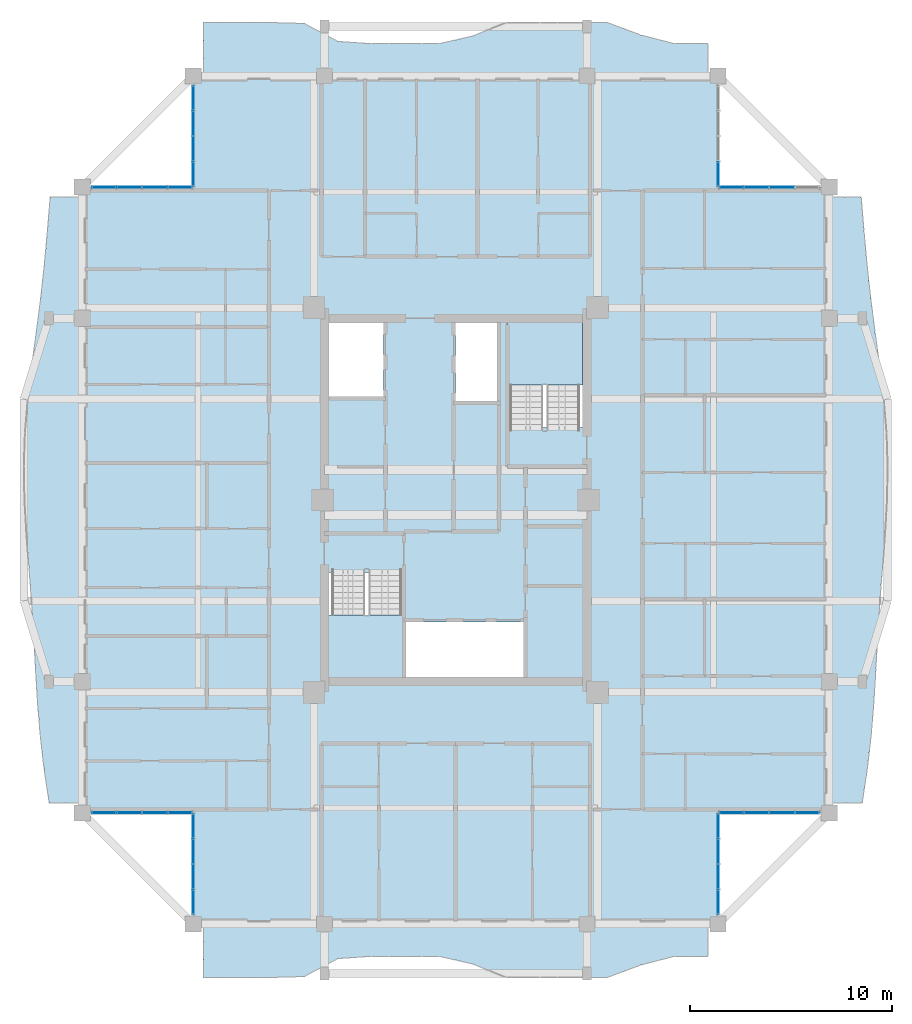
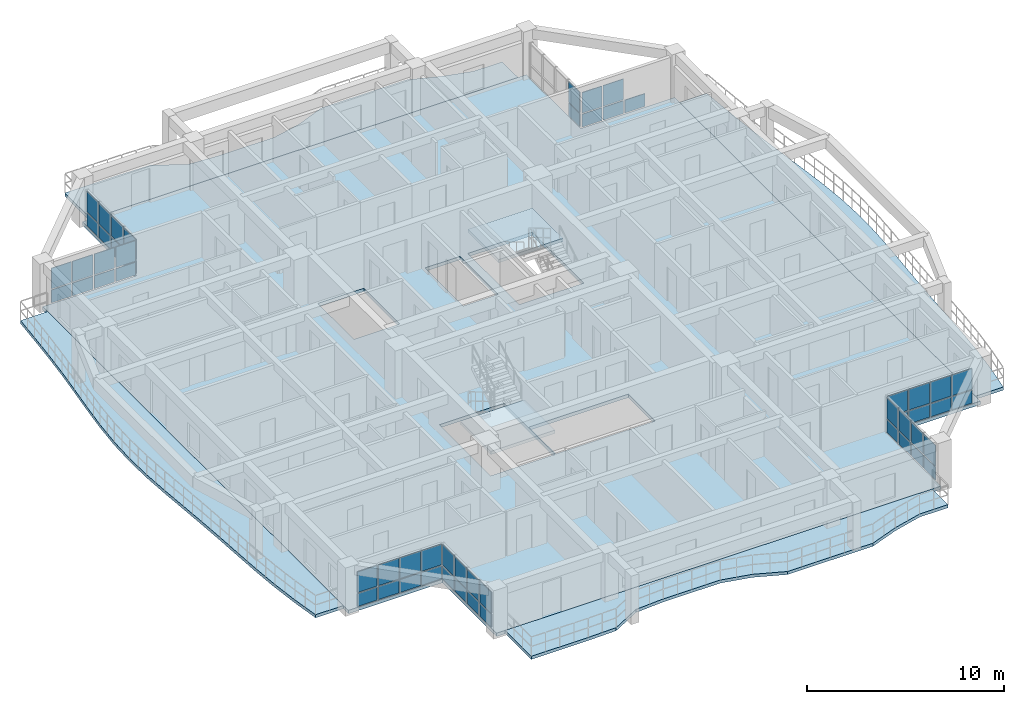
# One storey, part 9 of 22: 55 plates, 7 slabs, 10 elements without a shape of their own.
"""IFC4 building model written with IfcOpenShell, lengths in metres."""

from ifc_helpers import new_model, si_unit, direction, frame, origin, origin_2d, place, context, subcontext, project, spatial, polyline, rectangle, outline, extrude, source, transform, mapped, material, layer, layer_set, type_object, element, aggregate, save


model = new_model("IFC4")

# Units and contexts
model_context = context("Model", 3, precision=1e-05, world=origin(), true_north=direction((0.0, 1.0)))
body_context = subcontext(model_context, "Body", "Model", "MODEL_VIEW")
ifc_project = project(units=[si_unit("LENGTHUNIT", "METRE"), si_unit("AREAUNIT", "SQUARE_METRE"), si_unit("VOLUMEUNIT", "CUBIC_METRE"), si_unit("PLANEANGLEUNIT", "RADIAN"), si_unit("MASSUNIT", "GRAM", prefix="KILO")], contexts=[model_context])

# Site, building, storey
site_placement = place(None, origin())
site = spatial("IfcSite", under=ifc_project, at=site_placement, CompositionType="ELEMENT")
building_placement = place(site_placement, origin())
building = spatial("IfcBuilding", under=site, at=building_placement, Name="Saelheon Loggia Tower", CompositionType="ELEMENT")
storey_placement = place(building_placement, frame((0.0, 0.0, 196.60009765625)))
storey = spatial("IfcBuildingStorey", under=building, at=storey_placement, Name="L61", CompositionType="ELEMENT", Elevation=196.60009765625)

# Slabs
ifc_material_1 = material(Name="Precast Concrete C45/55", Category="concrete")
ifc_layer_1 = layer(ifc_material_1, 0.18994140625)
ifc_layer_set_1 = layer_set([ifc_layer_1], Name="Precast Concrete C45/55")
slab_type_1 = type_object("IfcSlabType", Name="Slab_Loggia_Ext_190", PredefinedType="FLOOR", material=ifc_layer_set_1)
slab_1_placement = place(storey_placement, frame((0.0, 0.0, -0.190185546875)))
element("IfcSlab", 1, at=slab_1_placement, inside=storey, type_object=slab_type_1, Name="L61 Loggia Balcony Slab S", PredefinedType="FLOOR", context=body_context, shape_type="SweptSolid", body=[
    extrude(outline(polyline([(25.5, 3.35009765625), (27.166748046875, 3.35009765625), (28.833251953125, 3.35009765625), (30.5, 3.396728515625), (32.166748046875, 4.2861328125), (33.833251953125, 4.39990234375), (35.5, 4.39990234375), (37.166748046875, 4.39990234375), (38.833251953125, 4.021728515625), (40.5, 3.35009765625), (42.166748046875, 3.35009765625), (43.833251953125, 3.35009765625), (45.5, 3.35009765625), (47.166748046875, 3.9677734375), (48.833251953125, 4.39990234375), (50.5, 4.39990234375), (50.5, 6.0), (25.5, 6.0), (25.5, 3.35009765625)])), origin(), (0.0, 0.0, 1.0), 0.190185546875),
])
slab_2_placement = place(storey_placement, frame((0.0, 0.0, -0.190185546875)))
element("IfcSlab", 2, at=slab_2_placement, inside=storey, type_object=slab_type_1, Name="L61 Loggia Balcony Slab N", PredefinedType="FLOOR", context=body_context, shape_type="SweptSolid", body=[
    extrude(outline(polyline([(25.5, 48.0), (50.5, 48.0), (50.5, 49.60009765625), (48.833251953125, 49.60009765625), (47.166748046875, 50.0322265625), (45.5, 50.64990234375), (43.833251953125, 50.64990234375), (42.166748046875, 50.64990234375), (40.5, 50.64990234375), (38.833251953125, 49.978271484375), (37.166748046875, 49.60009765625), (35.5, 49.60009765625), (33.833251953125, 49.60009765625), (32.166748046875, 49.7138671875), (30.5, 50.603271484375), (28.833251953125, 50.64990234375), (27.166748046875, 50.64990234375), (25.5, 50.64990234375), (25.5, 48.0)])), origin(), (0.0, 0.0, 1.0), 0.190185546875),
])
slab_3_placement = place(storey_placement, frame((0.0, 0.0, -0.190185546875)))
element("IfcSlab", 3, at=slab_3_placement, inside=storey, type_object=slab_type_1, Name="L61 Loggia Balcony Slab E", PredefinedType="FLOOR", context=body_context, shape_type="SweptSolid", body=[
    extrude(outline(polyline([(56.5, 12.0), (58.135009765625, 12.0), (58.38623046875, 13.666748046875), (58.579345703125, 15.333251953125), (58.71533203125, 17.0), (58.814697265625, 18.666748046875), (58.906494140625, 20.333251953125), (59.01318359375, 22.0), (59.138671875, 23.666748046875), (59.265625, 25.333251953125), (59.362060546875, 27.0), (59.3935546875, 28.666748046875), (59.338623046875, 30.333251953125), (59.19873046875, 32.0), (58.9970703125, 33.666748046875), (58.77099609375, 35.333251953125), (58.55615234375, 37.0), (58.3740234375, 38.666748046875), (58.223876953125, 40.333251953125), (58.085693359375, 42.0), (56.5, 42.0), (56.5, 12.0)])), origin(), (0.0, 0.0, 1.0), 0.190185546875),
])
slab_4_placement = place(storey_placement, frame((0.0, 0.0, -0.190185546875)))
element("IfcSlab", 4, at=slab_4_placement, inside=storey, type_object=slab_type_1, Name="L61 Loggia Balcony Slab W", PredefinedType="FLOOR", context=body_context, shape_type="SweptSolid", body=[
    extrude(outline(polyline([(19.5, 12.0), (19.5, 42.0), (17.914306640625, 42.0), (17.776123046875, 40.333251953125), (17.6259765625, 38.666748046875), (17.44384765625, 37.0), (17.22900390625, 35.333251953125), (17.0029296875, 33.666748046875), (16.80126953125, 32.0), (16.661376953125, 30.333251953125), (16.6064453125, 28.666748046875), (16.637939453125, 27.0), (16.734375, 25.333251953125), (16.861328125, 23.666748046875), (16.98681640625, 22.0), (17.093505859375, 20.333251953125), (17.185302734375, 18.666748046875), (17.28466796875, 17.0), (17.420654296875, 15.333251953125), (17.61376953125, 13.666748046875), (17.864990234375, 12.0), (19.5, 12.0)])), origin(), (0.0, 0.0, 1.0), 0.190185546875),
])

# Stair, slab
ifc_material_2 = material(Name="Concrete C40/50", Category="concrete")
stair_type = type_object("IfcStairType", Name="Stair_Escape_Core", PredefinedType="HALF_TURN_STAIR", material=ifc_material_2)
stair_1_placement = place(storey_placement, origin())
stair_1 = element("IfcStair", 5, at=stair_1_placement, inside=storey, type_object=stair_type, Name="L61 Special Escape Stair ST1", PredefinedType="HALF_TURN_STAIR")
ifc_layer_2 = layer(ifc_material_2, 0.199951171875)
ifc_layer_set_2 = layer_set([ifc_layer_2], Name="Concrete C40/50")
slab_type_2 = type_object("IfcSlabType", Name="Slab_StairLanding_ST1", PredefinedType="LANDING", material=ifc_layer_set_2)
slab_5_placement = place(storey_placement, frame((0.0, 0.0, 1.2998046875)))
slab_5 = element("IfcSlab", 6, at=slab_5_placement, type_object=slab_type_2, Name="ST1 landing 1", PredefinedType="LANDING", context=body_context, shape_type="SweptSolid", body=[
    extrude(outline(polyline([(31.7099609375, 21.31005859375), (31.7099609375, 18.2099609375), (35.469970703125, 18.2099609375), (35.469970703125, 21.31005859375), (31.7099609375, 21.31005859375)])), origin(), (0.0, 0.0, 1.0), 0.2001953125),
])
aggregate(stair_1, [slab_5])

stair_2_placement = place(storey_placement, origin())
stair_2 = element("IfcStair", 7, at=stair_2_placement, inside=storey, type_object=stair_type, Name="L61 Special Escape Stair ST2", PredefinedType="HALF_TURN_STAIR")
ifc_layer_3 = layer(ifc_material_2, 0.199951171875)
ifc_layer_set_3 = layer_set([ifc_layer_3], Name="Concrete C40/50")
slab_type_3 = type_object("IfcSlabType", Name="Slab_StairLanding_ST2", PredefinedType="LANDING", material=ifc_layer_set_3)
slab_6_placement = place(storey_placement, frame((0.0, 0.0, 1.2998046875)))
slab_6 = element("IfcSlab", 8, at=slab_6_placement, type_object=slab_type_3, Name="ST2 landing 1", PredefinedType="LANDING", context=body_context, shape_type="SweptSolid", body=[
    extrude(outline(polyline([(44.2900390625, 32.68994140625), (44.2900390625, 35.7900390625), (40.530029296875, 35.7900390625), (40.530029296875, 32.68994140625), (44.2900390625, 32.68994140625)])), origin(), (0.0, 0.0, 1.0), 0.2001953125),
])
aggregate(stair_2, [slab_6])

# Slab
ifc_layer_4 = layer(ifc_material_2, 0.2099609375)
ifc_layer_set_4 = layer_set([ifc_layer_4], Name="Concrete C40/50")
slab_type_4 = type_object("IfcSlabType", Name="Slab_Tower_210", PredefinedType="FLOOR", material=ifc_layer_set_4)
slab_7_placement = place(storey_placement, frame((0.0, 0.0, -0.210205078125)))
element("IfcSlab", 9, at=slab_7_placement, inside=storey, type_object=slab_type_4, Name="L61 Tower Floor Slab", PredefinedType="FLOOR", context=body_context, shape_type="SweptSolid", body=[
    extrude(outline(polyline([(25.0, 6.0), (51.0, 6.0), (51.0, 11.5), (56.5, 11.5), (56.5, 42.5), (51.0, 42.5), (51.0, 48.0), (25.0, 48.0), (25.0, 42.5), (19.5, 42.5), (19.5, 11.5), (25.0, 11.5), (25.0, 6.0)]), holes=[polyline([(31.699951171875, 23.409912109375), (31.699951171875, 18.199951171875), (35.47998046875, 18.199951171875), (35.47998046875, 23.409912109375), (31.699951171875, 23.409912109375)]), polyline([(44.300048828125, 30.590087890625), (44.300048828125, 35.800048828125), (40.52001953125, 35.800048828125), (40.52001953125, 30.590087890625), (44.300048828125, 30.590087890625)]), polyline([(35.530029296875, 18.22509765625), (41.35009765625, 18.22509765625), (41.35009765625, 20.9599609375), (35.530029296875, 20.9599609375), (35.530029296875, 18.22509765625)]), polyline([(31.72509765625, 32.1201171875), (34.419921875, 32.1201171875), (34.419921875, 35.77490234375), (31.72509765625, 35.77490234375), (31.72509765625, 32.1201171875)]), polyline([(38.0, 31.89990234375), (40.050048828125, 31.89990234375), (40.050048828125, 35.77490234375), (38.0, 35.77490234375), (38.0, 31.89990234375)])]), origin(), (0.0, 0.0, 1.0), 0.210205078125),
])

# Curtain wall, plates
ifc_material_3 = material(Name="High-Wind Aluminium and Triple Laminated Glass", Category="aluminium")
ifc_layer_5 = layer(ifc_material_3, 0.179931640625)
ifc_layer_set_5 = layer_set([ifc_layer_5], Name="High-Wind Aluminium and Triple Laminated Glass")
curtain_wall_type = type_object("IfcCurtainWallType", Name="CW_TowerLoggiaHigh", PredefinedType="NOTDEFINED", material=ifc_layer_set_5)
curtain_wall_1_placement = place(storey_placement, origin())
curtain_wall_1 = element("IfcCurtainWall", 10, at=curtain_wall_1_placement, inside=storey, type_object=curtain_wall_type, Name="L61 Corner Notch Glazing SW1", PredefinedType="NOTDEFINED")
ifc_material_4 = material(Name="Triple Low-E Laminated Glazing", Category="glass")
ifc_layer_6 = layer(ifc_material_4, 0.0439453125)
ifc_layer_set_6 = layer_set([ifc_layer_6], Name="Triple Low-E Laminated Glazing")
plate_type = type_object("IfcPlateType", Name="CW_TowerLoggiaHigh_Panel", PredefinedType="CURTAIN_PANEL", material=ifc_layer_set_6)
shared_shape_1 = source(origin(), body_context, "Body", "SweptSolid", [
    extrude(rectangle(XDim=1.159912109375, YDim=0.0439453125, at=origin_2d()), origin(), (0.0, 0.0, 1.0), 0.794921875),
])
plate_1_placement = place(storey_placement, frame((25.0, 7.090087890625, 0.06982421875), z_axis=(0.0, 0.0, 1.0), x_axis=(0.0, 1.0, 0.0)))
plate_1 = element("IfcPlate", 11, at=plate_1_placement, type_object=plate_type, Name="CW4 panel 1.1", PredefinedType="CURTAIN_PANEL", context=body_context, shape_type="MappedRepresentation", body=[
    mapped(shared_shape_1, transform((0.0, 0.0, 0.0), scale=1.0)),
])
plate_2_placement = place(storey_placement, frame((25.0, 10.85009765625, 0.06982421875), z_axis=(0.0, 0.0, 1.0), x_axis=(0.0, 1.0, 0.0)))
plate_2 = element("IfcPlate", 12, at=plate_2_placement, type_object=plate_type, Name="CW4 panel 4.1", PredefinedType="CURTAIN_PANEL", context=body_context, shape_type="MappedRepresentation", body=[
    mapped(shared_shape_1, transform((0.0, 0.0, 0.0), scale=1.0)),
])

curtain_wall_2_placement = place(storey_placement, origin())
curtain_wall_2 = element("IfcCurtainWall", 13, at=curtain_wall_2_placement, inside=storey, type_object=curtain_wall_type, Name="L61 Corner Notch Glazing SW2", PredefinedType="NOTDEFINED")
plate_3_placement = place(storey_placement, frame((20.590087890625, 11.5, 0.06982421875), z_axis=(0.0, 0.0, 1.0), x_axis=(1.0, 0.0, 0.0)))
plate_3 = element("IfcPlate", 14, at=plate_3_placement, type_object=plate_type, Name="CW4 panel 1.1", PredefinedType="CURTAIN_PANEL", context=body_context, shape_type="MappedRepresentation", body=[
    mapped(shared_shape_1, transform((0.0, 0.0, 0.0), scale=1.0)),
])
plate_4_placement = place(storey_placement, frame((24.35009765625, 11.5, 0.06982421875), z_axis=(0.0, 0.0, 1.0), x_axis=(1.0, 0.0, 0.0)))
plate_4 = element("IfcPlate", 15, at=plate_4_placement, type_object=plate_type, Name="CW4 panel 4.1", PredefinedType="CURTAIN_PANEL", context=body_context, shape_type="MappedRepresentation", body=[
    mapped(shared_shape_1, transform((0.0, 0.0, 0.0), scale=1.0)),
])

curtain_wall_3_placement = place(storey_placement, origin())
curtain_wall_3 = element("IfcCurtainWall", 16, at=curtain_wall_3_placement, inside=storey, type_object=curtain_wall_type, Name="L61 Corner Notch Glazing SE1", PredefinedType="NOTDEFINED")
plate_5_placement = place(storey_placement, frame((51.0, 7.090087890625, 0.06982421875), z_axis=(0.0, 0.0, 1.0), x_axis=(0.0, 1.0, 0.0)))
plate_5 = element("IfcPlate", 17, at=plate_5_placement, type_object=plate_type, Name="CW4 panel 1.1", PredefinedType="CURTAIN_PANEL", context=body_context, shape_type="MappedRepresentation", body=[
    mapped(shared_shape_1, transform((0.0, 0.0, 0.0), scale=1.0)),
])
plate_6_placement = place(storey_placement, frame((51.0, 10.85009765625, 0.06982421875), z_axis=(0.0, 0.0, 1.0), x_axis=(0.0, 1.0, 0.0)))
plate_6 = element("IfcPlate", 18, at=plate_6_placement, type_object=plate_type, Name="CW4 panel 4.1", PredefinedType="CURTAIN_PANEL", context=body_context, shape_type="MappedRepresentation", body=[
    mapped(shared_shape_1, transform((0.0, 0.0, 0.0), scale=1.0)),
])

curtain_wall_4_placement = place(storey_placement, origin())
curtain_wall_4 = element("IfcCurtainWall", 19, at=curtain_wall_4_placement, inside=storey, type_object=curtain_wall_type, Name="L61 Corner Notch Glazing SE2", PredefinedType="NOTDEFINED")
plate_7_placement = place(storey_placement, frame((51.64990234375, 11.5, 0.06982421875), z_axis=(0.0, 0.0, 1.0), x_axis=(1.0, 0.0, 0.0)))
plate_7 = element("IfcPlate", 20, at=plate_7_placement, type_object=plate_type, Name="CW4 panel 1.1", PredefinedType="CURTAIN_PANEL", context=body_context, shape_type="MappedRepresentation", body=[
    mapped(shared_shape_1, transform((0.0, 0.0, 0.0), scale=1.0)),
])
plate_8_placement = place(storey_placement, frame((55.409912109375, 11.5, 0.06982421875), z_axis=(0.0, 0.0, 1.0), x_axis=(1.0, 0.0, 0.0)))
plate_8 = element("IfcPlate", 21, at=plate_8_placement, type_object=plate_type, Name="CW4 panel 4.1", PredefinedType="CURTAIN_PANEL", context=body_context, shape_type="MappedRepresentation", body=[
    mapped(shared_shape_1, transform((0.0, 0.0, 0.0), scale=1.0)),
])

curtain_wall_5_placement = place(storey_placement, origin())
curtain_wall_5 = element("IfcCurtainWall", 22, at=curtain_wall_5_placement, inside=storey, type_object=curtain_wall_type, Name="L61 Corner Notch Glazing NW1", PredefinedType="NOTDEFINED")
plate_9_placement = place(storey_placement, frame((25.0, 43.14990234375, 0.06982421875), z_axis=(0.0, 0.0, 1.0), x_axis=(0.0, 1.0, 0.0)))
plate_9 = element("IfcPlate", 23, at=plate_9_placement, type_object=plate_type, Name="CW4 panel 1.1", PredefinedType="CURTAIN_PANEL", context=body_context, shape_type="MappedRepresentation", body=[
    mapped(shared_shape_1, transform((0.0, 0.0, 0.0), scale=1.0)),
])
plate_10_placement = place(storey_placement, frame((25.0, 46.909912109375, 0.06982421875), z_axis=(0.0, 0.0, 1.0), x_axis=(0.0, 1.0, 0.0)))
plate_10 = element("IfcPlate", 24, at=plate_10_placement, type_object=plate_type, Name="CW4 panel 4.1", PredefinedType="CURTAIN_PANEL", context=body_context, shape_type="MappedRepresentation", body=[
    mapped(shared_shape_1, transform((0.0, 0.0, 0.0), scale=1.0)),
])

curtain_wall_6_placement = place(storey_placement, origin())
curtain_wall_6 = element("IfcCurtainWall", 25, at=curtain_wall_6_placement, inside=storey, type_object=curtain_wall_type, Name="L61 Corner Notch Glazing NW2", PredefinedType="NOTDEFINED")
plate_11_placement = place(storey_placement, frame((20.590087890625, 42.5, 0.06982421875), z_axis=(0.0, 0.0, 1.0), x_axis=(1.0, 0.0, 0.0)))
plate_11 = element("IfcPlate", 26, at=plate_11_placement, type_object=plate_type, Name="CW4 panel 1.1", PredefinedType="CURTAIN_PANEL", context=body_context, shape_type="MappedRepresentation", body=[
    mapped(shared_shape_1, transform((0.0, 0.0, 0.0), scale=1.0)),
])
plate_12_placement = place(storey_placement, frame((24.35009765625, 42.5, 0.06982421875), z_axis=(0.0, 0.0, 1.0), x_axis=(1.0, 0.0, 0.0)))
plate_12 = element("IfcPlate", 27, at=plate_12_placement, type_object=plate_type, Name="CW4 panel 4.1", PredefinedType="CURTAIN_PANEL", context=body_context, shape_type="MappedRepresentation", body=[
    mapped(shared_shape_1, transform((0.0, 0.0, 0.0), scale=1.0)),
])

# Curtain wall, plate
curtain_wall_7_placement = place(storey_placement, origin())
curtain_wall_7 = element("IfcCurtainWall", 28, at=curtain_wall_7_placement, inside=storey, type_object=curtain_wall_type, Name="L61 Corner Notch Glazing NE1", PredefinedType="NOTDEFINED")
plate_13_placement = place(storey_placement, frame((51.0, 43.14990234375, 0.06982421875), z_axis=(0.0, 0.0, 1.0), x_axis=(0.0, 1.0, 0.0)))
plate_13 = element("IfcPlate", 29, at=plate_13_placement, type_object=plate_type, Name="CW4 panel 1.1", PredefinedType="CURTAIN_PANEL", context=body_context, shape_type="MappedRepresentation", body=[
    mapped(shared_shape_1, transform((0.0, 0.0, 0.0), scale=1.0)),
])

curtain_wall_8_placement = place(storey_placement, origin())
curtain_wall_8 = element("IfcCurtainWall", 30, at=curtain_wall_8_placement, inside=storey, type_object=curtain_wall_type, Name="L61 Corner Notch Glazing NE2", PredefinedType="NOTDEFINED")
plate_14_placement = place(storey_placement, frame((51.64990234375, 42.5, 0.06982421875), z_axis=(0.0, 0.0, 1.0), x_axis=(1.0, 0.0, 0.0)))
plate_14 = element("IfcPlate", 31, at=plate_14_placement, type_object=plate_type, Name="CW4 panel 1.1", PredefinedType="CURTAIN_PANEL", context=body_context, shape_type="MappedRepresentation", body=[
    mapped(shared_shape_1, transform((0.0, 0.0, 0.0), scale=1.0)),
])

# Plate
shared_shape_2 = source(origin(), body_context, "Body", "SweptSolid", [
    extrude(rectangle(XDim=1.159912109375, YDim=0.0439453125, at=origin_2d()), origin(), (0.0, 0.0, 1.0), 1.27490234375),
])
plate_15_placement = place(storey_placement, frame((25.0, 7.090087890625, 0.93505859375), z_axis=(0.0, 0.0, 1.0), x_axis=(0.0, 1.0, 0.0)))
plate_15 = element("IfcPlate", 32, at=plate_15_placement, type_object=plate_type, Name="CW4 panel 1.2", PredefinedType="CURTAIN_PANEL", context=body_context, shape_type="MappedRepresentation", body=[
    mapped(shared_shape_2, transform((0.0, 0.0, 0.0), scale=1.0)),
])

plate_16_placement = place(storey_placement, frame((25.0, 10.85009765625, 0.93505859375), z_axis=(0.0, 0.0, 1.0), x_axis=(0.0, 1.0, 0.0)))
plate_16 = element("IfcPlate", 33, at=plate_16_placement, type_object=plate_type, Name="CW4 panel 4.2", PredefinedType="CURTAIN_PANEL", context=body_context, shape_type="MappedRepresentation", body=[
    mapped(shared_shape_2, transform((0.0, 0.0, 0.0), scale=1.0)),
])

plate_17_placement = place(storey_placement, frame((20.590087890625, 11.5, 0.93505859375), z_axis=(0.0, 0.0, 1.0), x_axis=(1.0, 0.0, 0.0)))
plate_17 = element("IfcPlate", 34, at=plate_17_placement, type_object=plate_type, Name="CW4 panel 1.2", PredefinedType="CURTAIN_PANEL", context=body_context, shape_type="MappedRepresentation", body=[
    mapped(shared_shape_2, transform((0.0, 0.0, 0.0), scale=1.0)),
])

plate_18_placement = place(storey_placement, frame((24.35009765625, 11.5, 0.93505859375), z_axis=(0.0, 0.0, 1.0), x_axis=(1.0, 0.0, 0.0)))
plate_18 = element("IfcPlate", 35, at=plate_18_placement, type_object=plate_type, Name="CW4 panel 4.2", PredefinedType="CURTAIN_PANEL", context=body_context, shape_type="MappedRepresentation", body=[
    mapped(shared_shape_2, transform((0.0, 0.0, 0.0), scale=1.0)),
])

plate_19_placement = place(storey_placement, frame((51.0, 7.090087890625, 0.93505859375), z_axis=(0.0, 0.0, 1.0), x_axis=(0.0, 1.0, 0.0)))
plate_19 = element("IfcPlate", 36, at=plate_19_placement, type_object=plate_type, Name="CW4 panel 1.2", PredefinedType="CURTAIN_PANEL", context=body_context, shape_type="MappedRepresentation", body=[
    mapped(shared_shape_2, transform((0.0, 0.0, 0.0), scale=1.0)),
])

plate_20_placement = place(storey_placement, frame((51.0, 10.85009765625, 0.93505859375), z_axis=(0.0, 0.0, 1.0), x_axis=(0.0, 1.0, 0.0)))
plate_20 = element("IfcPlate", 37, at=plate_20_placement, type_object=plate_type, Name="CW4 panel 4.2", PredefinedType="CURTAIN_PANEL", context=body_context, shape_type="MappedRepresentation", body=[
    mapped(shared_shape_2, transform((0.0, 0.0, 0.0), scale=1.0)),
])

plate_21_placement = place(storey_placement, frame((51.64990234375, 11.5, 0.93505859375), z_axis=(0.0, 0.0, 1.0), x_axis=(1.0, 0.0, 0.0)))
plate_21 = element("IfcPlate", 38, at=plate_21_placement, type_object=plate_type, Name="CW4 panel 1.2", PredefinedType="CURTAIN_PANEL", context=body_context, shape_type="MappedRepresentation", body=[
    mapped(shared_shape_2, transform((0.0, 0.0, 0.0), scale=1.0)),
])

plate_22_placement = place(storey_placement, frame((55.409912109375, 11.5, 0.93505859375), z_axis=(0.0, 0.0, 1.0), x_axis=(1.0, 0.0, 0.0)))
plate_22 = element("IfcPlate", 39, at=plate_22_placement, type_object=plate_type, Name="CW4 panel 4.2", PredefinedType="CURTAIN_PANEL", context=body_context, shape_type="MappedRepresentation", body=[
    mapped(shared_shape_2, transform((0.0, 0.0, 0.0), scale=1.0)),
])

plate_23_placement = place(storey_placement, frame((25.0, 43.14990234375, 0.93505859375), z_axis=(0.0, 0.0, 1.0), x_axis=(0.0, 1.0, 0.0)))
plate_23 = element("IfcPlate", 40, at=plate_23_placement, type_object=plate_type, Name="CW4 panel 1.2", PredefinedType="CURTAIN_PANEL", context=body_context, shape_type="MappedRepresentation", body=[
    mapped(shared_shape_2, transform((0.0, 0.0, 0.0), scale=1.0)),
])

plate_24_placement = place(storey_placement, frame((25.0, 46.909912109375, 0.93505859375), z_axis=(0.0, 0.0, 1.0), x_axis=(0.0, 1.0, 0.0)))
plate_24 = element("IfcPlate", 41, at=plate_24_placement, type_object=plate_type, Name="CW4 panel 4.2", PredefinedType="CURTAIN_PANEL", context=body_context, shape_type="MappedRepresentation", body=[
    mapped(shared_shape_2, transform((0.0, 0.0, 0.0), scale=1.0)),
])

plate_25_placement = place(storey_placement, frame((20.590087890625, 42.5, 0.93505859375), z_axis=(0.0, 0.0, 1.0), x_axis=(1.0, 0.0, 0.0)))
plate_25 = element("IfcPlate", 42, at=plate_25_placement, type_object=plate_type, Name="CW4 panel 1.2", PredefinedType="CURTAIN_PANEL", context=body_context, shape_type="MappedRepresentation", body=[
    mapped(shared_shape_2, transform((0.0, 0.0, 0.0), scale=1.0)),
])

plate_26_placement = place(storey_placement, frame((24.35009765625, 42.5, 0.93505859375), z_axis=(0.0, 0.0, 1.0), x_axis=(1.0, 0.0, 0.0)))
plate_26 = element("IfcPlate", 43, at=plate_26_placement, type_object=plate_type, Name="CW4 panel 4.2", PredefinedType="CURTAIN_PANEL", context=body_context, shape_type="MappedRepresentation", body=[
    mapped(shared_shape_2, transform((0.0, 0.0, 0.0), scale=1.0)),
])

plate_27_placement = place(storey_placement, frame((51.0, 43.14990234375, 0.93505859375), z_axis=(0.0, 0.0, 1.0), x_axis=(0.0, 1.0, 0.0)))
plate_27 = element("IfcPlate", 44, at=plate_27_placement, type_object=plate_type, Name="CW4 panel 1.2", PredefinedType="CURTAIN_PANEL", context=body_context, shape_type="MappedRepresentation", body=[
    mapped(shared_shape_2, transform((0.0, 0.0, 0.0), scale=1.0)),
])

aggregate(curtain_wall_7, [plate_13, plate_27])

plate_28_placement = place(storey_placement, frame((51.64990234375, 42.5, 0.93505859375), z_axis=(0.0, 0.0, 1.0), x_axis=(1.0, 0.0, 0.0)))
plate_28 = element("IfcPlate", 45, at=plate_28_placement, type_object=plate_type, Name="CW4 panel 1.2", PredefinedType="CURTAIN_PANEL", context=body_context, shape_type="MappedRepresentation", body=[
    mapped(shared_shape_2, transform((0.0, 0.0, 0.0), scale=1.0)),
])

shared_shape_3 = source(origin(), body_context, "Body", "SweptSolid", [
    extrude(rectangle(XDim=1.195068359375, YDim=0.0439453125, at=origin_2d()), origin(), (0.0, 0.0, 1.0), 0.794921875),
])
plate_29_placement = place(storey_placement, frame((25.0, 8.33740234375, 0.06982421875), z_axis=(0.0, 0.0, 1.0), x_axis=(0.0, 1.0, 0.0)))
plate_29 = element("IfcPlate", 46, at=plate_29_placement, type_object=plate_type, Name="CW4 panel 2.1", PredefinedType="CURTAIN_PANEL", context=body_context, shape_type="MappedRepresentation", body=[
    mapped(shared_shape_3, transform((0.0, 0.0, 0.0), scale=1.0)),
])

plate_30_placement = place(storey_placement, frame((25.0, 9.6025390625, 0.06982421875), z_axis=(0.0, 0.0, 1.0), x_axis=(0.0, 1.0, 0.0)))
plate_30 = element("IfcPlate", 47, at=plate_30_placement, type_object=plate_type, Name="CW4 panel 3.1", PredefinedType="CURTAIN_PANEL", context=body_context, shape_type="MappedRepresentation", body=[
    mapped(shared_shape_3, transform((0.0, 0.0, 0.0), scale=1.0)),
])

plate_31_placement = place(storey_placement, frame((21.83740234375, 11.5, 0.06982421875), z_axis=(0.0, 0.0, 1.0), x_axis=(1.0, 0.0, 0.0)))
plate_31 = element("IfcPlate", 48, at=plate_31_placement, type_object=plate_type, Name="CW4 panel 2.1", PredefinedType="CURTAIN_PANEL", context=body_context, shape_type="MappedRepresentation", body=[
    mapped(shared_shape_3, transform((0.0, 0.0, 0.0), scale=1.0)),
])

plate_32_placement = place(storey_placement, frame((23.1025390625, 11.5, 0.06982421875), z_axis=(0.0, 0.0, 1.0), x_axis=(1.0, 0.0, 0.0)))
plate_32 = element("IfcPlate", 49, at=plate_32_placement, type_object=plate_type, Name="CW4 panel 3.1", PredefinedType="CURTAIN_PANEL", context=body_context, shape_type="MappedRepresentation", body=[
    mapped(shared_shape_3, transform((0.0, 0.0, 0.0), scale=1.0)),
])

plate_33_placement = place(storey_placement, frame((51.0, 8.33740234375, 0.06982421875), z_axis=(0.0, 0.0, 1.0), x_axis=(0.0, 1.0, 0.0)))
plate_33 = element("IfcPlate", 50, at=plate_33_placement, type_object=plate_type, Name="CW4 panel 2.1", PredefinedType="CURTAIN_PANEL", context=body_context, shape_type="MappedRepresentation", body=[
    mapped(shared_shape_3, transform((0.0, 0.0, 0.0), scale=1.0)),
])

plate_34_placement = place(storey_placement, frame((51.0, 9.6025390625, 0.06982421875), z_axis=(0.0, 0.0, 1.0), x_axis=(0.0, 1.0, 0.0)))
plate_34 = element("IfcPlate", 51, at=plate_34_placement, type_object=plate_type, Name="CW4 panel 3.1", PredefinedType="CURTAIN_PANEL", context=body_context, shape_type="MappedRepresentation", body=[
    mapped(shared_shape_3, transform((0.0, 0.0, 0.0), scale=1.0)),
])

plate_35_placement = place(storey_placement, frame((52.8974609375, 11.5, 0.06982421875), z_axis=(0.0, 0.0, 1.0), x_axis=(1.0, 0.0, 0.0)))
plate_35 = element("IfcPlate", 52, at=plate_35_placement, type_object=plate_type, Name="CW4 panel 2.1", PredefinedType="CURTAIN_PANEL", context=body_context, shape_type="MappedRepresentation", body=[
    mapped(shared_shape_3, transform((0.0, 0.0, 0.0), scale=1.0)),
])

plate_36_placement = place(storey_placement, frame((54.16259765625, 11.5, 0.06982421875), z_axis=(0.0, 0.0, 1.0), x_axis=(1.0, 0.0, 0.0)))
plate_36 = element("IfcPlate", 53, at=plate_36_placement, type_object=plate_type, Name="CW4 panel 3.1", PredefinedType="CURTAIN_PANEL", context=body_context, shape_type="MappedRepresentation", body=[
    mapped(shared_shape_3, transform((0.0, 0.0, 0.0), scale=1.0)),
])

plate_37_placement = place(storey_placement, frame((25.0, 44.3974609375, 0.06982421875), z_axis=(0.0, 0.0, 1.0), x_axis=(0.0, 1.0, 0.0)))
plate_37 = element("IfcPlate", 54, at=plate_37_placement, type_object=plate_type, Name="CW4 panel 2.1", PredefinedType="CURTAIN_PANEL", context=body_context, shape_type="MappedRepresentation", body=[
    mapped(shared_shape_3, transform((0.0, 0.0, 0.0), scale=1.0)),
])

plate_38_placement = place(storey_placement, frame((25.0, 45.66259765625, 0.06982421875), z_axis=(0.0, 0.0, 1.0), x_axis=(0.0, 1.0, 0.0)))
plate_38 = element("IfcPlate", 55, at=plate_38_placement, type_object=plate_type, Name="CW4 panel 3.1", PredefinedType="CURTAIN_PANEL", context=body_context, shape_type="MappedRepresentation", body=[
    mapped(shared_shape_3, transform((0.0, 0.0, 0.0), scale=1.0)),
])

plate_39_placement = place(storey_placement, frame((21.83740234375, 42.5, 0.06982421875), z_axis=(0.0, 0.0, 1.0), x_axis=(1.0, 0.0, 0.0)))
plate_39 = element("IfcPlate", 56, at=plate_39_placement, type_object=plate_type, Name="CW4 panel 2.1", PredefinedType="CURTAIN_PANEL", context=body_context, shape_type="MappedRepresentation", body=[
    mapped(shared_shape_3, transform((0.0, 0.0, 0.0), scale=1.0)),
])

plate_40_placement = place(storey_placement, frame((23.1025390625, 42.5, 0.06982421875), z_axis=(0.0, 0.0, 1.0), x_axis=(1.0, 0.0, 0.0)))
plate_40 = element("IfcPlate", 57, at=plate_40_placement, type_object=plate_type, Name="CW4 panel 3.1", PredefinedType="CURTAIN_PANEL", context=body_context, shape_type="MappedRepresentation", body=[
    mapped(shared_shape_3, transform((0.0, 0.0, 0.0), scale=1.0)),
])

plate_41_placement = place(storey_placement, frame((52.8974609375, 42.5, 0.06982421875), z_axis=(0.0, 0.0, 1.0), x_axis=(1.0, 0.0, 0.0)))
plate_41 = element("IfcPlate", 58, at=plate_41_placement, type_object=plate_type, Name="CW4 panel 2.1", PredefinedType="CURTAIN_PANEL", context=body_context, shape_type="MappedRepresentation", body=[
    mapped(shared_shape_3, transform((0.0, 0.0, 0.0), scale=1.0)),
])

plate_42_placement = place(storey_placement, frame((54.16259765625, 42.5, 0.06982421875), z_axis=(0.0, 0.0, 1.0), x_axis=(1.0, 0.0, 0.0)))
plate_42 = element("IfcPlate", 59, at=plate_42_placement, type_object=plate_type, Name="CW4 panel 3.1", PredefinedType="CURTAIN_PANEL", context=body_context, shape_type="MappedRepresentation", body=[
    mapped(shared_shape_3, transform((0.0, 0.0, 0.0), scale=1.0)),
])

shared_shape_4 = source(origin(), body_context, "Body", "SweptSolid", [
    extrude(rectangle(XDim=1.195068359375, YDim=0.0439453125, at=origin_2d()), origin(), (0.0, 0.0, 1.0), 1.27490234375),
])
plate_43_placement = place(storey_placement, frame((25.0, 8.33740234375, 0.93505859375), z_axis=(0.0, 0.0, 1.0), x_axis=(0.0, 1.0, 0.0)))
plate_43 = element("IfcPlate", 60, at=plate_43_placement, type_object=plate_type, Name="CW4 panel 2.2", PredefinedType="CURTAIN_PANEL", context=body_context, shape_type="MappedRepresentation", body=[
    mapped(shared_shape_4, transform((0.0, 0.0, 0.0), scale=1.0)),
])

plate_44_placement = place(storey_placement, frame((25.0, 9.6025390625, 0.93505859375), z_axis=(0.0, 0.0, 1.0), x_axis=(0.0, 1.0, 0.0)))
plate_44 = element("IfcPlate", 61, at=plate_44_placement, type_object=plate_type, Name="CW4 panel 3.2", PredefinedType="CURTAIN_PANEL", context=body_context, shape_type="MappedRepresentation", body=[
    mapped(shared_shape_4, transform((0.0, 0.0, 0.0), scale=1.0)),
])

aggregate(curtain_wall_1, [plate_1, plate_15, plate_29, plate_43, plate_30, plate_44, plate_2, plate_16])

plate_45_placement = place(storey_placement, frame((21.83740234375, 11.5, 0.93505859375), z_axis=(0.0, 0.0, 1.0), x_axis=(1.0, 0.0, 0.0)))
plate_45 = element("IfcPlate", 62, at=plate_45_placement, type_object=plate_type, Name="CW4 panel 2.2", PredefinedType="CURTAIN_PANEL", context=body_context, shape_type="MappedRepresentation", body=[
    mapped(shared_shape_4, transform((0.0, 0.0, 0.0), scale=1.0)),
])

plate_46_placement = place(storey_placement, frame((23.1025390625, 11.5, 0.93505859375), z_axis=(0.0, 0.0, 1.0), x_axis=(1.0, 0.0, 0.0)))
plate_46 = element("IfcPlate", 63, at=plate_46_placement, type_object=plate_type, Name="CW4 panel 3.2", PredefinedType="CURTAIN_PANEL", context=body_context, shape_type="MappedRepresentation", body=[
    mapped(shared_shape_4, transform((0.0, 0.0, 0.0), scale=1.0)),
])

aggregate(curtain_wall_2, [plate_3, plate_17, plate_31, plate_45, plate_32, plate_46, plate_4, plate_18])

plate_47_placement = place(storey_placement, frame((51.0, 8.33740234375, 0.93505859375), z_axis=(0.0, 0.0, 1.0), x_axis=(0.0, 1.0, 0.0)))
plate_47 = element("IfcPlate", 64, at=plate_47_placement, type_object=plate_type, Name="CW4 panel 2.2", PredefinedType="CURTAIN_PANEL", context=body_context, shape_type="MappedRepresentation", body=[
    mapped(shared_shape_4, transform((0.0, 0.0, 0.0), scale=1.0)),
])

plate_48_placement = place(storey_placement, frame((51.0, 9.6025390625, 0.93505859375), z_axis=(0.0, 0.0, 1.0), x_axis=(0.0, 1.0, 0.0)))
plate_48 = element("IfcPlate", 65, at=plate_48_placement, type_object=plate_type, Name="CW4 panel 3.2", PredefinedType="CURTAIN_PANEL", context=body_context, shape_type="MappedRepresentation", body=[
    mapped(shared_shape_4, transform((0.0, 0.0, 0.0), scale=1.0)),
])

aggregate(curtain_wall_3, [plate_5, plate_19, plate_33, plate_47, plate_34, plate_48, plate_6, plate_20])

plate_49_placement = place(storey_placement, frame((52.8974609375, 11.5, 0.93505859375), z_axis=(0.0, 0.0, 1.0), x_axis=(1.0, 0.0, 0.0)))
plate_49 = element("IfcPlate", 66, at=plate_49_placement, type_object=plate_type, Name="CW4 panel 2.2", PredefinedType="CURTAIN_PANEL", context=body_context, shape_type="MappedRepresentation", body=[
    mapped(shared_shape_4, transform((0.0, 0.0, 0.0), scale=1.0)),
])

plate_50_placement = place(storey_placement, frame((54.16259765625, 11.5, 0.93505859375), z_axis=(0.0, 0.0, 1.0), x_axis=(1.0, 0.0, 0.0)))
plate_50 = element("IfcPlate", 67, at=plate_50_placement, type_object=plate_type, Name="CW4 panel 3.2", PredefinedType="CURTAIN_PANEL", context=body_context, shape_type="MappedRepresentation", body=[
    mapped(shared_shape_4, transform((0.0, 0.0, 0.0), scale=1.0)),
])

aggregate(curtain_wall_4, [plate_7, plate_21, plate_35, plate_49, plate_36, plate_50, plate_8, plate_22])

plate_51_placement = place(storey_placement, frame((25.0, 44.3974609375, 0.93505859375), z_axis=(0.0, 0.0, 1.0), x_axis=(0.0, 1.0, 0.0)))
plate_51 = element("IfcPlate", 68, at=plate_51_placement, type_object=plate_type, Name="CW4 panel 2.2", PredefinedType="CURTAIN_PANEL", context=body_context, shape_type="MappedRepresentation", body=[
    mapped(shared_shape_4, transform((0.0, 0.0, 0.0), scale=1.0)),
])

plate_52_placement = place(storey_placement, frame((25.0, 45.66259765625, 0.93505859375), z_axis=(0.0, 0.0, 1.0), x_axis=(0.0, 1.0, 0.0)))
plate_52 = element("IfcPlate", 69, at=plate_52_placement, type_object=plate_type, Name="CW4 panel 3.2", PredefinedType="CURTAIN_PANEL", context=body_context, shape_type="MappedRepresentation", body=[
    mapped(shared_shape_4, transform((0.0, 0.0, 0.0), scale=1.0)),
])

aggregate(curtain_wall_5, [plate_9, plate_23, plate_37, plate_51, plate_38, plate_52, plate_10, plate_24])

plate_53_placement = place(storey_placement, frame((21.83740234375, 42.5, 0.93505859375), z_axis=(0.0, 0.0, 1.0), x_axis=(1.0, 0.0, 0.0)))
plate_53 = element("IfcPlate", 70, at=plate_53_placement, type_object=plate_type, Name="CW4 panel 2.2", PredefinedType="CURTAIN_PANEL", context=body_context, shape_type="MappedRepresentation", body=[
    mapped(shared_shape_4, transform((0.0, 0.0, 0.0), scale=1.0)),
])

plate_54_placement = place(storey_placement, frame((23.1025390625, 42.5, 0.93505859375), z_axis=(0.0, 0.0, 1.0), x_axis=(1.0, 0.0, 0.0)))
plate_54 = element("IfcPlate", 71, at=plate_54_placement, type_object=plate_type, Name="CW4 panel 3.2", PredefinedType="CURTAIN_PANEL", context=body_context, shape_type="MappedRepresentation", body=[
    mapped(shared_shape_4, transform((0.0, 0.0, 0.0), scale=1.0)),
])

aggregate(curtain_wall_6, [plate_11, plate_25, plate_39, plate_53, plate_40, plate_54, plate_12, plate_26])

plate_55_placement = place(storey_placement, frame((52.8974609375, 42.5, 0.93505859375), z_axis=(0.0, 0.0, 1.0), x_axis=(1.0, 0.0, 0.0)))
plate_55 = element("IfcPlate", 72, at=plate_55_placement, type_object=plate_type, Name="CW4 panel 2.2", PredefinedType="CURTAIN_PANEL", context=body_context, shape_type="MappedRepresentation", body=[
    mapped(shared_shape_4, transform((0.0, 0.0, 0.0), scale=1.0)),
])

aggregate(curtain_wall_8, [plate_14, plate_28, plate_41, plate_55, plate_42])

save(model, "model.ifc")
